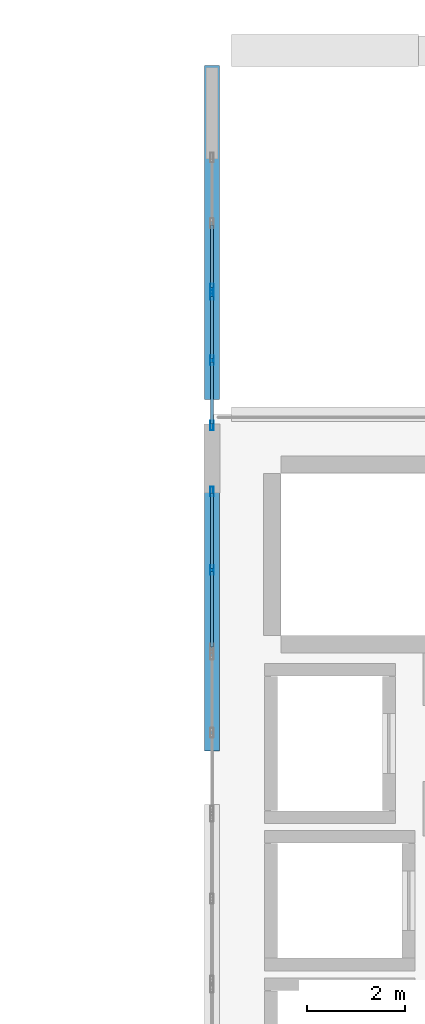
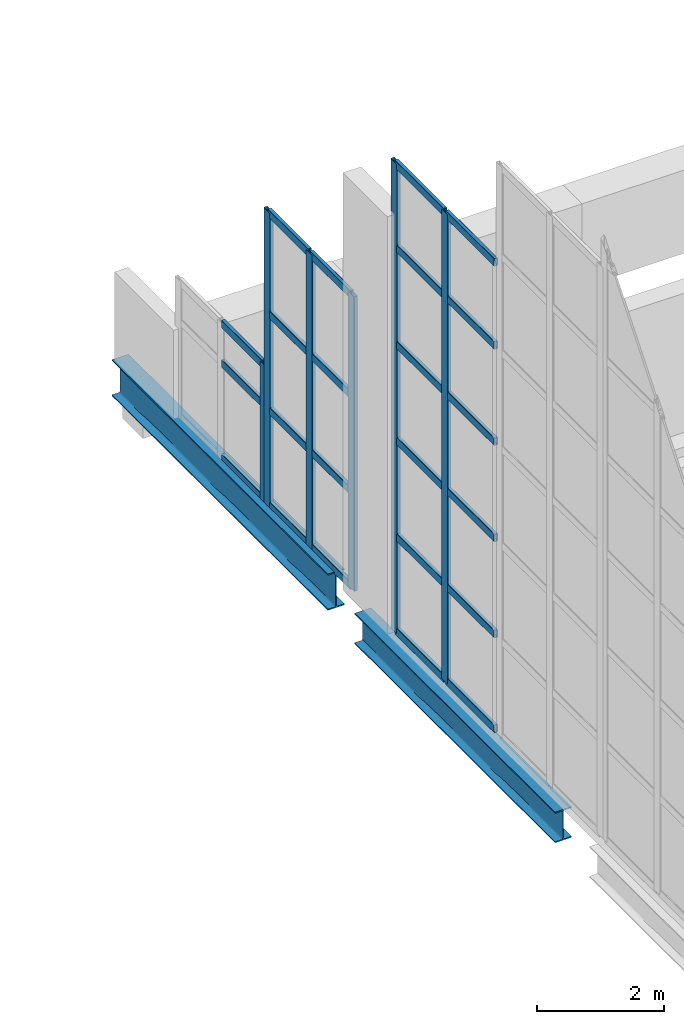
# One storey, part 15 of 37: 29 members, 2 beams, 3 elements without a shape of their own.
"""IFC4 building model written with IfcOpenShell, lengths in metres."""

from ifc_helpers import new_model, si_unit, direction, frame, origin, origin_2d, place, context, subcontext, project, spatial, hollow_rectangle, i_section, extrude, material, material_profile, profile_set, type_object, element, aggregate, save


model = new_model("IFC4")

# Units and contexts
model_context = context("Model", 3, precision=1e-05, world=origin(), true_north=direction((0.0, 1.0)))
body_context = subcontext(model_context, "Body", "Model", "MODEL_VIEW")
ifc_project = project(units=[si_unit("LENGTHUNIT", "METRE"), si_unit("AREAUNIT", "SQUARE_METRE"), si_unit("VOLUMEUNIT", "CUBIC_METRE"), si_unit("PLANEANGLEUNIT", "RADIAN"), si_unit("MASSUNIT", "GRAM", prefix="KILO")], contexts=[model_context])

# Site, building, storey
site_placement = place(None, origin())
site = spatial("IfcSite", under=ifc_project, at=site_placement, CompositionType="ELEMENT")
building_placement = place(site_placement, origin())
building = spatial("IfcBuilding", under=site, at=building_placement, Name="Shengluoqiao Park Theatre", CompositionType="ELEMENT")
storey_placement = place(building_placement, frame((0.0, 0.0, 19.199951171875)))
storey = spatial("IfcBuildingStorey", under=building, at=storey_placement, Name="L04", CompositionType="ELEMENT", Elevation=19.199951171875)

# Curtain wall, members
ifc_material_1 = material(Name="Aluminium 6063-T6", Category="aluminium")
curtain_wall_type = type_object("IfcCurtainWallType", Name="ENV-CW-CLERE", PredefinedType="NOTDEFINED", material=ifc_material_1)
curtain_wall_1_placement = place(storey_placement, origin())
curtain_wall_1 = element("IfcCurtainWall", 1, at=curtain_wall_1_placement, inside=storey, type_object=curtain_wall_type, Name="L04 Curtain Wall CW-L04-GABLE-0227", PredefinedType="NOTDEFINED")
ifc_material_profile_1 = material_profile(ifc_material_1, hollow_rectangle(XDim=0.06494140625, YDim=0.199951171875, WallThickness=0.0048828125, InnerFilletRadius=0.0048828125, OuterFilletRadius=0.010009765625, at=origin_2d()), Name="ALU MULLION 200x65x5")
ifc_profile_set_1 = profile_set([ifc_material_profile_1], Name="Aluminium 6063-T6")
member_type_1 = type_object("IfcMemberType", Name="ENV-MUL-200", PredefinedType="MULLION", material=ifc_profile_set_1)
member_1_placement = place(storey_placement, frame((44.39990234375, 103.429931640625, 0.0), z_axis=(0.0, 0.0, 1.0), x_axis=(-1.0, 0.0, 0.0)))
member_1 = element("IfcMember", 2, at=member_1_placement, type_object=member_type_1, Name="CW-06 mullion 2", PredefinedType="MULLION", context=body_context, shape_type="SweptSolid", body=[
    extrude(hollow_rectangle(XDim=0.06494140625, YDim=0.199951171875, WallThickness=0.0048828125, InnerFilletRadius=0.0048828125, OuterFilletRadius=0.010009765625, at=origin_2d()), origin(), (0.0, 0.0, 1.0), 9.02783203125),
])
member_2_placement = place(storey_placement, frame((44.39990234375, 105.027587890625, 0.0), z_axis=(0.0, 0.0, 1.0), x_axis=(-1.0, 0.0, 0.0)))
member_2 = element("IfcMember", 3, at=member_2_placement, type_object=member_type_1, Name="CW-06 mullion 3", PredefinedType="MULLION", context=body_context, shape_type="SweptSolid", body=[
    extrude(hollow_rectangle(XDim=0.06494140625, YDim=0.199951171875, WallThickness=0.0048828125, InnerFilletRadius=0.0048828125, OuterFilletRadius=0.010009765625, at=origin_2d()), origin(), (0.0, 0.0, 1.0), 9.02783203125),
])

curtain_wall_2_placement = place(storey_placement, origin())
curtain_wall_2 = element("IfcCurtainWall", 4, at=curtain_wall_2_placement, inside=storey, type_object=curtain_wall_type, Name="L04 Curtain Wall CW-L04-GABLE-0228", PredefinedType="NOTDEFINED")
member_3_placement = place(storey_placement, frame((44.39990234375, 106.37255859375, 0.0), z_axis=(0.0, 0.0, 1.0), x_axis=(-1.0, 0.0, 0.0)))
member_3 = element("IfcMember", 5, at=member_3_placement, type_object=member_type_1, Name="CW-06 mullion 1", PredefinedType="MULLION", context=body_context, shape_type="SweptSolid", body=[
    extrude(hollow_rectangle(XDim=0.06494140625, YDim=0.199951171875, WallThickness=0.0048828125, InnerFilletRadius=0.0048828125, OuterFilletRadius=0.010009765625, at=origin_2d()), origin(), (0.0, 0.0, 1.0), 5.66015625),
])
member_4_placement = place(storey_placement, frame((44.39990234375, 107.699951171875, 0.0), z_axis=(0.0, 0.0, 1.0), x_axis=(-1.0, 0.0, 0.0)))
member_4 = element("IfcMember", 6, at=member_4_placement, type_object=member_type_1, Name="CW-06 mullion 2", PredefinedType="MULLION", context=body_context, shape_type="SweptSolid", body=[
    extrude(hollow_rectangle(XDim=0.06494140625, YDim=0.199951171875, WallThickness=0.0048828125, InnerFilletRadius=0.0048828125, OuterFilletRadius=0.010009765625, at=origin_2d()), origin(), (0.0, 0.0, 1.0), 5.66015625),
])
member_5_placement = place(storey_placement, frame((44.39990234375, 109.027587890625, 0.0), z_axis=(0.0, 0.0, 1.0), x_axis=(-1.0, 0.0, 0.0)))
member_5 = element("IfcMember", 7, at=member_5_placement, type_object=member_type_1, Name="CW-06 mullion 3", PredefinedType="MULLION", context=body_context, shape_type="SweptSolid", body=[
    extrude(hollow_rectangle(XDim=0.06494140625, YDim=0.199951171875, WallThickness=0.0048828125, InnerFilletRadius=0.0048828125, OuterFilletRadius=0.010009765625, at=origin_2d()), origin(), (0.0, 0.0, 1.0), 5.66015625),
])

# Curtain wall, member
curtain_wall_3_placement = place(storey_placement, origin())
curtain_wall_3 = element("IfcCurtainWall", 8, at=curtain_wall_3_placement, inside=storey, type_object=curtain_wall_type, Name="L04 Curtain Wall CW-L04-GABLE-0229", PredefinedType="NOTDEFINED")
member_6_placement = place(storey_placement, frame((44.39990234375, 109.152587890625, 0.0), z_axis=(0.0, 0.0, 1.0), x_axis=(-1.0, 0.0, 0.0)))
member_6 = element("IfcMember", 9, at=member_6_placement, type_object=member_type_1, Name="CW-06 mullion 1", PredefinedType="MULLION", context=body_context, shape_type="SweptSolid", body=[
    extrude(hollow_rectangle(XDim=0.06494140625, YDim=0.199951171875, WallThickness=0.0048828125, InnerFilletRadius=0.0048828125, OuterFilletRadius=0.010009765625, at=origin_2d()), origin(), (0.0, 0.0, 1.0), 2.638427734375),
])

# Member
ifc_material_profile_2 = material_profile(ifc_material_1, hollow_rectangle(XDim=0.06494140625, YDim=0.14990234375, WallThickness=0.00390625, InnerFilletRadius=0.00390625, OuterFilletRadius=0.008056640625, at=origin_2d()), Name="ALU TRANSOM 150x65x4")
ifc_profile_set_2 = profile_set([ifc_material_profile_2], Name="Aluminium 6063-T6")
member_type_2 = type_object("IfcMemberType", Name="ENV-TRN-150", PredefinedType="USERDEFINED", material=ifc_profile_set_2)
member_7_placement = place(storey_placement, frame((44.39990234375, 101.864990234375, 0.032470703125), z_axis=(0.0, 1.0, 0.0), x_axis=(-1.0, 0.0, 0.0)))
member_7 = element("IfcMember", 10, at=member_7_placement, type_object=member_type_2, Name="CW-06 transom 1.1", ObjectType="TRANSOM", PredefinedType="USERDEFINED", context=body_context, shape_type="SweptSolid", body=[
    extrude(hollow_rectangle(XDim=0.06494140625, YDim=0.14990234375, WallThickness=0.00390625, InnerFilletRadius=0.00390625, OuterFilletRadius=0.008056640625, at=origin_2d()), origin(), (0.0, 0.0, 1.0), 1.532470703125),
])

member_8_placement = place(storey_placement, frame((44.39990234375, 101.864990234375, 1.85009765625), z_axis=(0.0, 1.0, 0.0), x_axis=(-1.0, 0.0, 0.0)))
member_8 = element("IfcMember", 11, at=member_8_placement, type_object=member_type_2, Name="CW-06 transom 1.2", ObjectType="TRANSOM", PredefinedType="USERDEFINED", context=body_context, shape_type="SweptSolid", body=[
    extrude(hollow_rectangle(XDim=0.06494140625, YDim=0.14990234375, WallThickness=0.00390625, InnerFilletRadius=0.00390625, OuterFilletRadius=0.008056640625, at=origin_2d()), origin(), (0.0, 0.0, 1.0), 1.532470703125),
])

member_9_placement = place(storey_placement, frame((44.39990234375, 101.864990234375, 3.699951171875), z_axis=(0.0, 1.0, 0.0), x_axis=(-1.0, 0.0, 0.0)))
member_9 = element("IfcMember", 12, at=member_9_placement, type_object=member_type_2, Name="CW-06 transom 1.3", ObjectType="TRANSOM", PredefinedType="USERDEFINED", context=body_context, shape_type="SweptSolid", body=[
    extrude(hollow_rectangle(XDim=0.06494140625, YDim=0.14990234375, WallThickness=0.00390625, InnerFilletRadius=0.00390625, OuterFilletRadius=0.008056640625, at=origin_2d()), origin(), (0.0, 0.0, 1.0), 1.532470703125),
])

member_10_placement = place(storey_placement, frame((44.39990234375, 101.864990234375, 5.550048828125), z_axis=(0.0, 1.0, 0.0), x_axis=(-1.0, 0.0, 0.0)))
member_10 = element("IfcMember", 13, at=member_10_placement, type_object=member_type_2, Name="CW-06 transom 1.4", ObjectType="TRANSOM", PredefinedType="USERDEFINED", context=body_context, shape_type="SweptSolid", body=[
    extrude(hollow_rectangle(XDim=0.06494140625, YDim=0.14990234375, WallThickness=0.00390625, InnerFilletRadius=0.00390625, OuterFilletRadius=0.008056640625, at=origin_2d()), origin(), (0.0, 0.0, 1.0), 1.532470703125),
])

member_11_placement = place(storey_placement, frame((44.39990234375, 101.864990234375, 7.400146484375), z_axis=(0.0, 1.0, 0.0), x_axis=(-1.0, 0.0, 0.0)))
member_11 = element("IfcMember", 14, at=member_11_placement, type_object=member_type_2, Name="CW-06 transom 1.5", ObjectType="TRANSOM", PredefinedType="USERDEFINED", context=body_context, shape_type="SweptSolid", body=[
    extrude(hollow_rectangle(XDim=0.06494140625, YDim=0.14990234375, WallThickness=0.00390625, InnerFilletRadius=0.00390625, OuterFilletRadius=0.008056640625, at=origin_2d()), origin(), (0.0, 0.0, 1.0), 1.532470703125),
])

member_12_placement = place(storey_placement, frame((44.39990234375, 101.864990234375, 8.995361328125), z_axis=(0.0, 1.0, 0.0), x_axis=(-1.0, 0.0, 0.0)))
member_12 = element("IfcMember", 15, at=member_12_placement, type_object=member_type_2, Name="CW-06 transom 1.6", ObjectType="TRANSOM", PredefinedType="USERDEFINED", context=body_context, shape_type="SweptSolid", body=[
    extrude(hollow_rectangle(XDim=0.06494140625, YDim=0.14990234375, WallThickness=0.00390625, InnerFilletRadius=0.00390625, OuterFilletRadius=0.008056640625, at=origin_2d()), origin(), (0.0, 0.0, 1.0), 1.532470703125),
])

member_13_placement = place(storey_placement, frame((44.39990234375, 103.46240234375, 0.032470703125), z_axis=(0.0, 1.0, 0.0), x_axis=(-1.0, 0.0, 0.0)))
member_13 = element("IfcMember", 16, at=member_13_placement, type_object=member_type_2, Name="CW-06 transom 2.1", ObjectType="TRANSOM", PredefinedType="USERDEFINED", context=body_context, shape_type="SweptSolid", body=[
    extrude(hollow_rectangle(XDim=0.06494140625, YDim=0.14990234375, WallThickness=0.00390625, InnerFilletRadius=0.00390625, OuterFilletRadius=0.008056640625, at=origin_2d()), origin(), (0.0, 0.0, 1.0), 1.53271484375),
])

member_14_placement = place(storey_placement, frame((44.39990234375, 103.46240234375, 1.85009765625), z_axis=(0.0, 1.0, 0.0), x_axis=(-1.0, 0.0, 0.0)))
member_14 = element("IfcMember", 17, at=member_14_placement, type_object=member_type_2, Name="CW-06 transom 2.2", ObjectType="TRANSOM", PredefinedType="USERDEFINED", context=body_context, shape_type="SweptSolid", body=[
    extrude(hollow_rectangle(XDim=0.06494140625, YDim=0.14990234375, WallThickness=0.00390625, InnerFilletRadius=0.00390625, OuterFilletRadius=0.008056640625, at=origin_2d()), origin(), (0.0, 0.0, 1.0), 1.53271484375),
])

member_15_placement = place(storey_placement, frame((44.39990234375, 103.46240234375, 3.699951171875), z_axis=(0.0, 1.0, 0.0), x_axis=(-1.0, 0.0, 0.0)))
member_15 = element("IfcMember", 18, at=member_15_placement, type_object=member_type_2, Name="CW-06 transom 2.3", ObjectType="TRANSOM", PredefinedType="USERDEFINED", context=body_context, shape_type="SweptSolid", body=[
    extrude(hollow_rectangle(XDim=0.06494140625, YDim=0.14990234375, WallThickness=0.00390625, InnerFilletRadius=0.00390625, OuterFilletRadius=0.008056640625, at=origin_2d()), origin(), (0.0, 0.0, 1.0), 1.53271484375),
])

member_16_placement = place(storey_placement, frame((44.39990234375, 103.46240234375, 5.550048828125), z_axis=(0.0, 1.0, 0.0), x_axis=(-1.0, 0.0, 0.0)))
member_16 = element("IfcMember", 19, at=member_16_placement, type_object=member_type_2, Name="CW-06 transom 2.4", ObjectType="TRANSOM", PredefinedType="USERDEFINED", context=body_context, shape_type="SweptSolid", body=[
    extrude(hollow_rectangle(XDim=0.06494140625, YDim=0.14990234375, WallThickness=0.00390625, InnerFilletRadius=0.00390625, OuterFilletRadius=0.008056640625, at=origin_2d()), origin(), (0.0, 0.0, 1.0), 1.53271484375),
])

member_17_placement = place(storey_placement, frame((44.39990234375, 103.46240234375, 7.400146484375), z_axis=(0.0, 1.0, 0.0), x_axis=(-1.0, 0.0, 0.0)))
member_17 = element("IfcMember", 20, at=member_17_placement, type_object=member_type_2, Name="CW-06 transom 2.5", ObjectType="TRANSOM", PredefinedType="USERDEFINED", context=body_context, shape_type="SweptSolid", body=[
    extrude(hollow_rectangle(XDim=0.06494140625, YDim=0.14990234375, WallThickness=0.00390625, InnerFilletRadius=0.00390625, OuterFilletRadius=0.008056640625, at=origin_2d()), origin(), (0.0, 0.0, 1.0), 1.53271484375),
])

member_18_placement = place(storey_placement, frame((44.39990234375, 103.46240234375, 8.995361328125), z_axis=(0.0, 1.0, 0.0), x_axis=(-1.0, 0.0, 0.0)))
member_18 = element("IfcMember", 21, at=member_18_placement, type_object=member_type_2, Name="CW-06 transom 2.6", ObjectType="TRANSOM", PredefinedType="USERDEFINED", context=body_context, shape_type="SweptSolid", body=[
    extrude(hollow_rectangle(XDim=0.06494140625, YDim=0.14990234375, WallThickness=0.00390625, InnerFilletRadius=0.00390625, OuterFilletRadius=0.008056640625, at=origin_2d()), origin(), (0.0, 0.0, 1.0), 1.53271484375),
])

aggregate(curtain_wall_1, [member_1, member_2, member_7, member_8, member_9, member_10, member_11, member_12, member_13, member_14, member_15, member_16, member_17, member_18])

member_19_placement = place(storey_placement, frame((44.39990234375, 106.405029296875, 0.032470703125), z_axis=(0.0, 1.0, 0.0), x_axis=(-1.0, 0.0, 0.0)))
member_19 = element("IfcMember", 22, at=member_19_placement, type_object=member_type_2, Name="CW-06 transom 1.1", ObjectType="TRANSOM", PredefinedType="USERDEFINED", context=body_context, shape_type="SweptSolid", body=[
    extrude(hollow_rectangle(XDim=0.06494140625, YDim=0.14990234375, WallThickness=0.00390625, InnerFilletRadius=0.00390625, OuterFilletRadius=0.008056640625, at=origin_2d()), origin(), (0.0, 0.0, 1.0), 1.262451171875),
])

member_20_placement = place(storey_placement, frame((44.39990234375, 106.405029296875, 1.85009765625), z_axis=(0.0, 1.0, 0.0), x_axis=(-1.0, 0.0, 0.0)))
member_20 = element("IfcMember", 23, at=member_20_placement, type_object=member_type_2, Name="CW-06 transom 1.2", ObjectType="TRANSOM", PredefinedType="USERDEFINED", context=body_context, shape_type="SweptSolid", body=[
    extrude(hollow_rectangle(XDim=0.06494140625, YDim=0.14990234375, WallThickness=0.00390625, InnerFilletRadius=0.00390625, OuterFilletRadius=0.008056640625, at=origin_2d()), origin(), (0.0, 0.0, 1.0), 1.262451171875),
])

member_21_placement = place(storey_placement, frame((44.39990234375, 106.405029296875, 3.699951171875), z_axis=(0.0, 1.0, 0.0), x_axis=(-1.0, 0.0, 0.0)))
member_21 = element("IfcMember", 24, at=member_21_placement, type_object=member_type_2, Name="CW-06 transom 1.3", ObjectType="TRANSOM", PredefinedType="USERDEFINED", context=body_context, shape_type="SweptSolid", body=[
    extrude(hollow_rectangle(XDim=0.06494140625, YDim=0.14990234375, WallThickness=0.00390625, InnerFilletRadius=0.00390625, OuterFilletRadius=0.008056640625, at=origin_2d()), origin(), (0.0, 0.0, 1.0), 1.262451171875),
])

member_22_placement = place(storey_placement, frame((44.39990234375, 106.405029296875, 5.627685546875), z_axis=(0.0, 1.0, 0.0), x_axis=(-1.0, 0.0, 0.0)))
member_22 = element("IfcMember", 25, at=member_22_placement, type_object=member_type_2, Name="CW-06 transom 1.4", ObjectType="TRANSOM", PredefinedType="USERDEFINED", context=body_context, shape_type="SweptSolid", body=[
    extrude(hollow_rectangle(XDim=0.06494140625, YDim=0.14990234375, WallThickness=0.00390625, InnerFilletRadius=0.00390625, OuterFilletRadius=0.008056640625, at=origin_2d()), origin(), (0.0, 0.0, 1.0), 1.262451171875),
])

member_23_placement = place(storey_placement, frame((44.39990234375, 107.732421875, 0.032470703125), z_axis=(0.0, 1.0, 0.0), x_axis=(-1.0, 0.0, 0.0)))
member_23 = element("IfcMember", 26, at=member_23_placement, type_object=member_type_2, Name="CW-06 transom 2.1", ObjectType="TRANSOM", PredefinedType="USERDEFINED", context=body_context, shape_type="SweptSolid", body=[
    extrude(hollow_rectangle(XDim=0.06494140625, YDim=0.14990234375, WallThickness=0.00390625, InnerFilletRadius=0.00390625, OuterFilletRadius=0.008056640625, at=origin_2d()), origin(), (0.0, 0.0, 1.0), 1.2626953125),
])

member_24_placement = place(storey_placement, frame((44.39990234375, 107.732421875, 1.85009765625), z_axis=(0.0, 1.0, 0.0), x_axis=(-1.0, 0.0, 0.0)))
member_24 = element("IfcMember", 27, at=member_24_placement, type_object=member_type_2, Name="CW-06 transom 2.2", ObjectType="TRANSOM", PredefinedType="USERDEFINED", context=body_context, shape_type="SweptSolid", body=[
    extrude(hollow_rectangle(XDim=0.06494140625, YDim=0.14990234375, WallThickness=0.00390625, InnerFilletRadius=0.00390625, OuterFilletRadius=0.008056640625, at=origin_2d()), origin(), (0.0, 0.0, 1.0), 1.2626953125),
])

member_25_placement = place(storey_placement, frame((44.39990234375, 107.732421875, 3.699951171875), z_axis=(0.0, 1.0, 0.0), x_axis=(-1.0, 0.0, 0.0)))
member_25 = element("IfcMember", 28, at=member_25_placement, type_object=member_type_2, Name="CW-06 transom 2.3", ObjectType="TRANSOM", PredefinedType="USERDEFINED", context=body_context, shape_type="SweptSolid", body=[
    extrude(hollow_rectangle(XDim=0.06494140625, YDim=0.14990234375, WallThickness=0.00390625, InnerFilletRadius=0.00390625, OuterFilletRadius=0.008056640625, at=origin_2d()), origin(), (0.0, 0.0, 1.0), 1.2626953125),
])

member_26_placement = place(storey_placement, frame((44.39990234375, 107.732421875, 5.627685546875), z_axis=(0.0, 1.0, 0.0), x_axis=(-1.0, 0.0, 0.0)))
member_26 = element("IfcMember", 29, at=member_26_placement, type_object=member_type_2, Name="CW-06 transom 2.4", ObjectType="TRANSOM", PredefinedType="USERDEFINED", context=body_context, shape_type="SweptSolid", body=[
    extrude(hollow_rectangle(XDim=0.06494140625, YDim=0.14990234375, WallThickness=0.00390625, InnerFilletRadius=0.00390625, OuterFilletRadius=0.008056640625, at=origin_2d()), origin(), (0.0, 0.0, 1.0), 1.2626953125),
])

aggregate(curtain_wall_2, [member_3, member_4, member_5, member_19, member_20, member_21, member_22, member_23, member_24, member_25, member_26])

member_27_placement = place(storey_placement, frame((44.39990234375, 109.18505859375, 0.032470703125), z_axis=(0.0, 1.0, 0.0), x_axis=(-1.0, 0.0, 0.0)))
member_27 = element("IfcMember", 30, at=member_27_placement, type_object=member_type_2, Name="CW-06 transom 1.1", ObjectType="TRANSOM", PredefinedType="USERDEFINED", context=body_context, shape_type="SweptSolid", body=[
    extrude(hollow_rectangle(XDim=0.06494140625, YDim=0.14990234375, WallThickness=0.00390625, InnerFilletRadius=0.00390625, OuterFilletRadius=0.008056640625, at=origin_2d()), origin(), (0.0, 0.0, 1.0), 1.2724609375),
])

member_28_placement = place(storey_placement, frame((44.39990234375, 109.18505859375, 1.85009765625), z_axis=(0.0, 1.0, 0.0), x_axis=(-1.0, 0.0, 0.0)))
member_28 = element("IfcMember", 31, at=member_28_placement, type_object=member_type_2, Name="CW-06 transom 1.2", ObjectType="TRANSOM", PredefinedType="USERDEFINED", context=body_context, shape_type="SweptSolid", body=[
    extrude(hollow_rectangle(XDim=0.06494140625, YDim=0.14990234375, WallThickness=0.00390625, InnerFilletRadius=0.00390625, OuterFilletRadius=0.008056640625, at=origin_2d()), origin(), (0.0, 0.0, 1.0), 1.2724609375),
])

member_29_placement = place(storey_placement, frame((44.39990234375, 109.18505859375, 2.60595703125), z_axis=(0.0, 1.0, 0.0), x_axis=(-1.0, 0.0, 0.0)))
member_29 = element("IfcMember", 32, at=member_29_placement, type_object=member_type_2, Name="CW-06 transom 1.3", ObjectType="TRANSOM", PredefinedType="USERDEFINED", context=body_context, shape_type="SweptSolid", body=[
    extrude(hollow_rectangle(XDim=0.06494140625, YDim=0.14990234375, WallThickness=0.00390625, InnerFilletRadius=0.00390625, OuterFilletRadius=0.008056640625, at=origin_2d()), origin(), (0.0, 0.0, 1.0), 1.2724609375),
])

aggregate(curtain_wall_3, [member_6, member_27, member_28, member_29])

# Beams
ifc_material_2 = material(Name="Steel Q355", Category="steel")
ifc_material_profile_3 = material_profile(ifc_material_2, i_section(OverallWidth=0.300048828125, OverallDepth=0.587890625, WebThickness=0.011962890625, FlangeThickness=0.02001953125, FilletRadius=0.02392578125, at=origin_2d()), Name="HM 588x300x12x20")
ifc_profile_set_3 = profile_set([ifc_material_profile_3], Name="Steel Q355")
beam_type_1 = type_object("IfcBeamType", Name="STR-BM-G-HM588", PredefinedType="BEAM", material=ifc_profile_set_3)
beam_1_placement = place(storey_placement, frame((44.39990234375, 99.743896484375, -0.533935546875), z_axis=(0.0, 1.0, 0.0), x_axis=(-1.0, 0.0, 0.0)))
element("IfcBeam", 33, at=beam_1_placement, inside=storey, type_object=beam_type_1, Name="L04 Transverse Girder 01498", PredefinedType="BEAM", context=body_context, shape_type="SweptSolid", body=[
    extrude(i_section(OverallWidth=0.300048828125, OverallDepth=0.587890625, WebThickness=0.011962890625, FlangeThickness=0.02001953125, FilletRadius=0.02392578125, at=origin_2d()), origin(), (0.0, 0.0, 1.0), 6.31201171875),
])
ifc_material_3 = material(Name="Steel Q390", Category="steel")
ifc_material_profile_4 = material_profile(ifc_material_3, i_section(OverallWidth=0.300048828125, OverallDepth=0.699951171875, WebThickness=0.012939453125, FlangeThickness=0.02392578125, FilletRadius=0.02392578125, at=origin_2d()), Name="HN 700x300x13x24")
ifc_profile_set_4 = profile_set([ifc_material_profile_4], Name="Steel Q390")
beam_type_2 = type_object("IfcBeamType", Name="STR-BM-G-HN700", PredefinedType="BEAM", material=ifc_profile_set_4)
beam_2_placement = place(storey_placement, frame((44.39990234375, 106.89990234375, -0.349853515625), z_axis=(0.0, 1.0, 0.0), x_axis=(-1.0, 0.0, 0.0)))
element("IfcBeam", 34, at=beam_2_placement, inside=storey, type_object=beam_type_2, Name="V1 West Gable Sill Girder Y106", PredefinedType="BEAM", context=body_context, shape_type="SweptSolid", body=[
    extrude(i_section(OverallWidth=0.300048828125, OverallDepth=0.699951171875, WebThickness=0.012939453125, FlangeThickness=0.02392578125, FilletRadius=0.02392578125, at=origin_2d()), origin(), (0.0, 0.0, 1.0), 6.800048828125),
])

save(model, "model.ifc")
